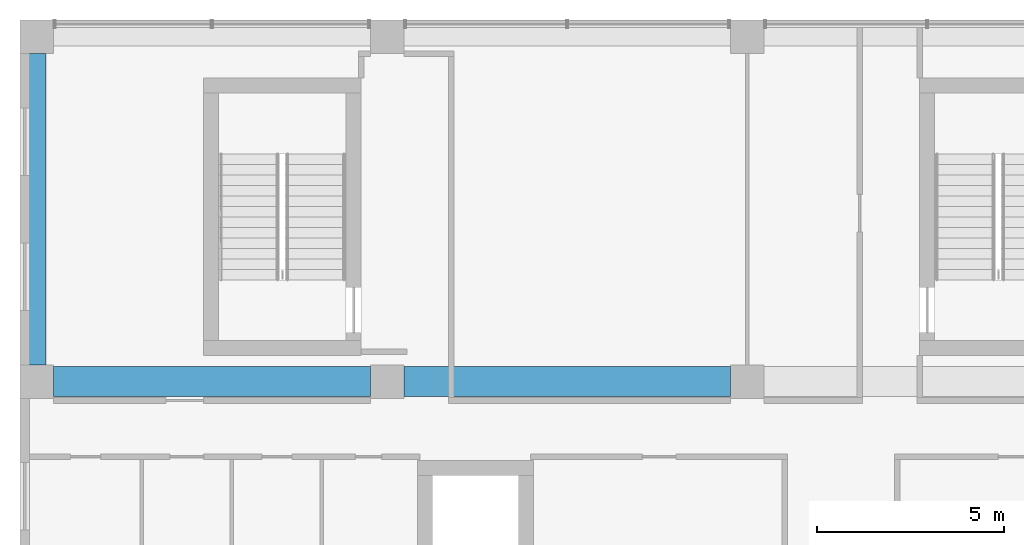
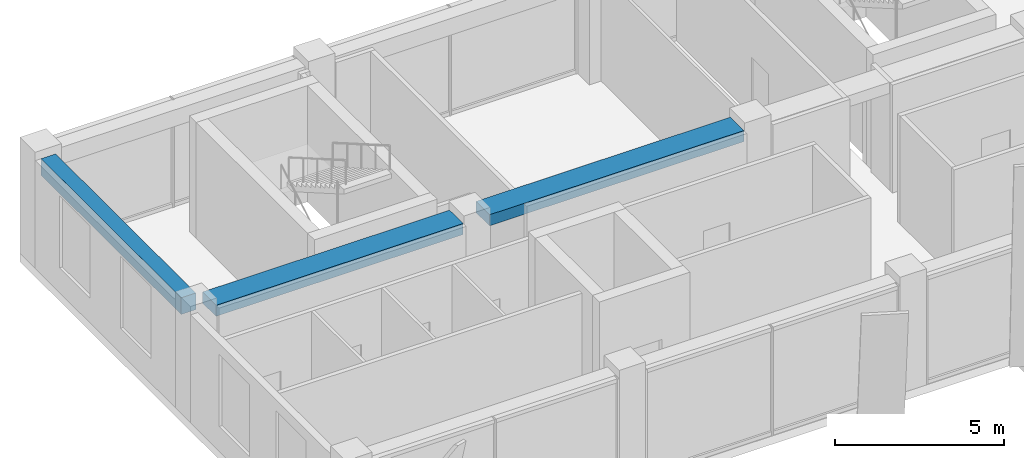
# One storey, part 21 of 38: 3 beams.
"""IFC4 building model written with IfcOpenShell, lengths in metres."""

from ifc_helpers import new_model, si_unit, direction, frame, origin, origin_2d, place, context, subcontext, project, spatial, rectangle, extrude, material, material_profile, profile_set, type_object, element, save


model = new_model("IFC4")

# Units and contexts
model_context = context("Model", 3, precision=1e-05, world=origin(), true_north=direction((0.0, 1.0)))
body_context = subcontext(model_context, "Body", "Model", "MODEL_VIEW")
ifc_project = project(units=[si_unit("LENGTHUNIT", "METRE"), si_unit("AREAUNIT", "SQUARE_METRE"), si_unit("VOLUMEUNIT", "CUBIC_METRE"), si_unit("PLANEANGLEUNIT", "RADIAN"), si_unit("MASSUNIT", "GRAM", prefix="KILO")], contexts=[model_context])

# Site, building, storey
site_placement = place(None, origin())
site = spatial("IfcSite", under=ifc_project, at=site_placement, CompositionType="ELEMENT")
building_placement = place(site_placement, origin())
building = spatial("IfcBuilding", under=site, at=building_placement, Name="Nzadi Deep Aquarium and Research Tower", CompositionType="ELEMENT")
storey_placement = place(building_placement, frame((0.0, 0.0, 48.699951171875)))
storey = spatial("IfcBuildingStorey", under=building, at=storey_placement, Name="L09", CompositionType="ELEMENT", Elevation=48.699951171875)

# Beams
ifc_material_1 = material(Name="Concrete C35/45", Category="concrete")
ifc_material_profile_1 = material_profile(ifc_material_1, rectangle(XDim=0.5, YDim=0.60009765625, at=origin_2d()))
ifc_profile_set_1 = profile_set([ifc_material_profile_1], Name="Concrete C35/45")
beam_type_1 = type_object("IfcBeamType", Name="RC 500x600", PredefinedType="BEAM", material=ifc_profile_set_1)
beam_1_placement = place(storey_placement, frame((0.25, 37.25, 3.60009765625), z_axis=(0.0, 1.0, 0.0), x_axis=(-1.0, 0.0, 0.0)))
element("IfcBeam", 1, at=beam_1_placement, inside=storey, type_object=beam_type_1, Name="B-Z1-L09-CA-2-4", PredefinedType="BEAM", context=body_context, shape_type="SweptSolid", body=[
    extrude(rectangle(XDim=0.5, YDim=0.60009765625, at=origin_2d()), origin(), (0.0, 0.0, 1.0), 8.300048828125),
])
ifc_material_2 = material(Name="Concrete C35/45", Category="concrete")
ifc_material_profile_2 = material_profile(ifc_material_2, rectangle(XDim=0.800048828125, YDim=0.39990234375, at=origin_2d()))
ifc_profile_set_2 = profile_set([ifc_material_profile_2], Name="Concrete C35/45")
beam_type_2 = type_object("IfcBeamType", Name="RC 800x400", PredefinedType="BEAM", material=ifc_profile_set_2)
beam_2_placement = place(storey_placement, frame((0.699951171875, 36.800048828125, 3.699951171875), z_axis=(1.0, 0.0, 0.0), x_axis=(0.0, 1.0, 0.0)))
element("IfcBeam", 2, at=beam_2_placement, inside=storey, type_object=beam_type_2, Name="B-Z1-L09-L5-1", PredefinedType="BEAM", context=body_context, shape_type="SweptSolid", body=[
    extrude(rectangle(XDim=0.800048828125, YDim=0.39990234375, at=origin_2d()), origin(), (0.0, 0.0, 1.0), 8.449951171875),
])
beam_3_placement = place(storey_placement, frame((10.050048828125, 36.800048828125, 3.699951171875), z_axis=(1.0, 0.0, 0.0), x_axis=(0.0, 1.0, 0.0)))
element("IfcBeam", 3, at=beam_3_placement, inside=storey, type_object=beam_type_2, Name="B-Z1-L09-L5-2", PredefinedType="BEAM", context=body_context, shape_type="SweptSolid", body=[
    extrude(rectangle(XDim=0.800048828125, YDim=0.39990234375, at=origin_2d()), origin(), (0.0, 0.0, 1.0), 8.699951171875),
])

save(model, "model.ifc")
